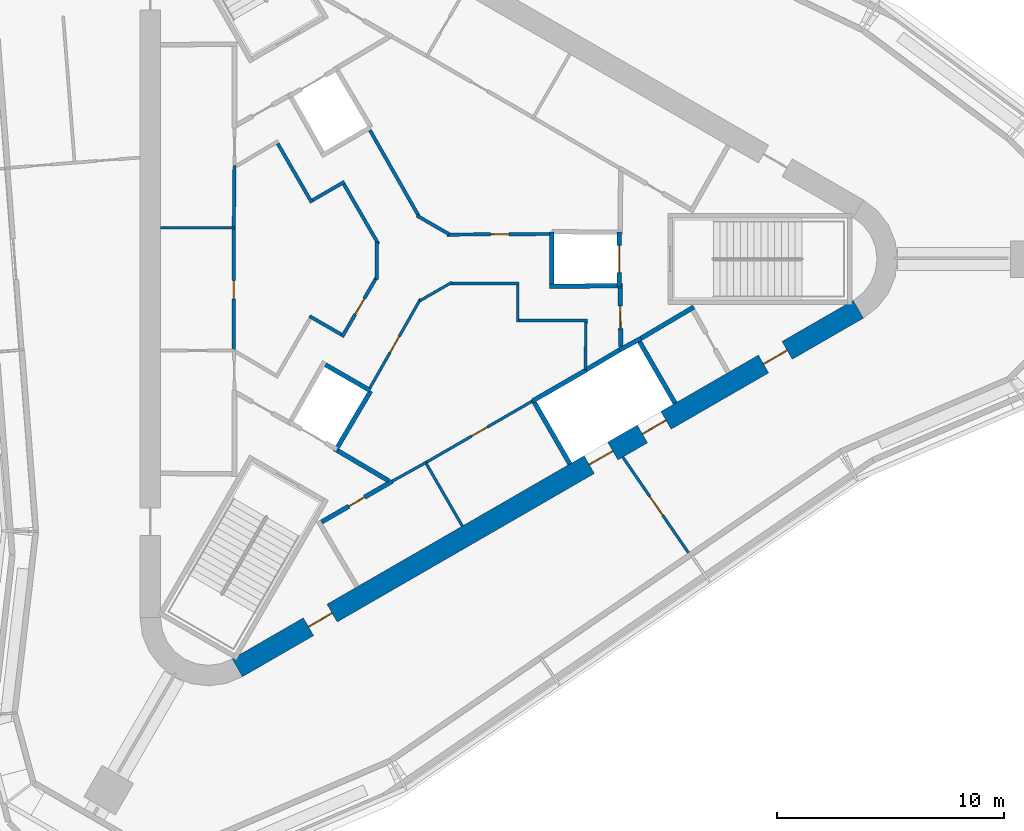
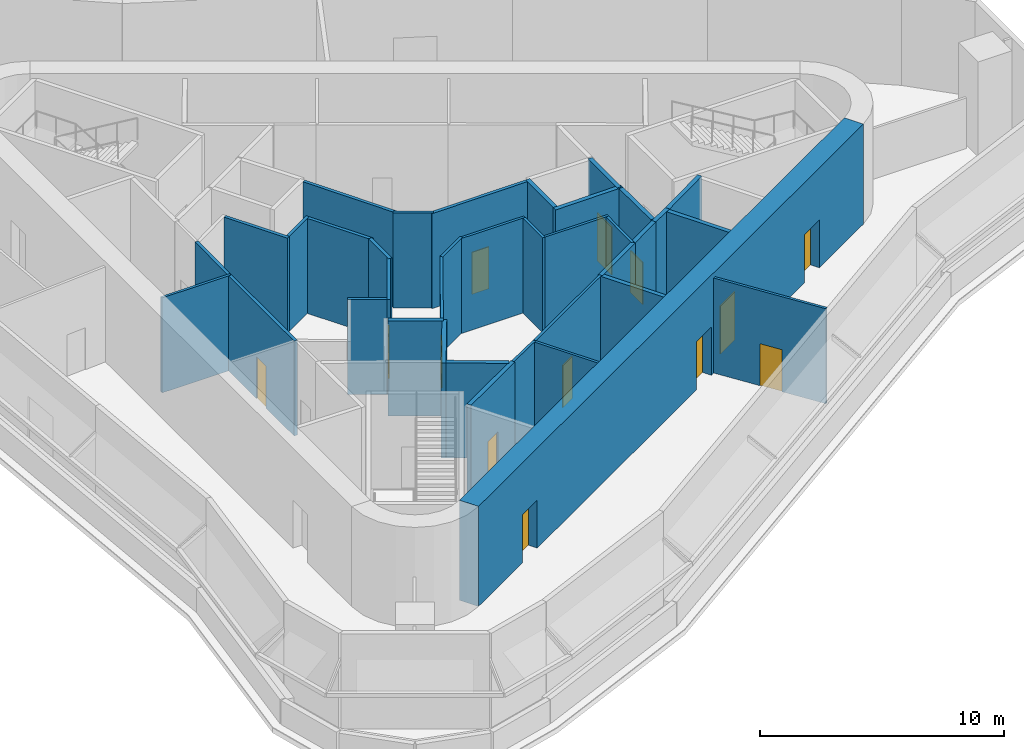
# One storey, part 5 of 8: 37 walls, 13 doors, 13 openings.
"""IFC4 building model written with IfcOpenShell, lengths in metres."""

import ifcopenshell
import ifcopenshell.guid

model = None  # the IFC model being written
_history = None  # IfcOwnerHistory: only IFC2X3 demands one
_inside = {}  # id of a spatial element -> (the spatial element, [elements in it])
_under = {}  # id of a project, library or spatial element -> (it, [spatial elements below it])
_declared = {}  # id of a project -> (the project, [libraries it declares])
_typed = {}  # id of a type object -> (the type object, [elements of that type])
_made_of = {}  # id of a material, layer set ... -> (it, [elements and type objects made of it])


def new_model(schema):
    """Start an empty IFC model of exactly this schema.

    Asked for "IFC4X3", IfcOpenShell would pick the latest addendum, in which some entities
    have other attributes; the version numbers below select the first issue.
    IFC2X3 requires an IfcOwnerHistory on every rooted entity: one is made here for all.
    """
    global model, _history
    if schema == "IFC4X3":
        model = ifcopenshell.file(schema_version=(4, 3, 0, 0))
    else:
        model = ifcopenshell.file(schema=schema)
    _inside.clear()
    _under.clear()
    _declared.clear()
    _typed.clear()
    _made_of.clear()
    _history = None
    if model.schema == "IFC2X3":
        org = make("IfcOrganization", Name="unknown")
        user = make(
            "IfcPersonAndOrganization",
            ThePerson=make("IfcPerson", FamilyName="unknown"),
            TheOrganization=org,
        )
        app = make(
            "IfcApplication",
            ApplicationDeveloper=org,
            Version="unknown",
            ApplicationFullName="unknown",
            ApplicationIdentifier="unknown",
        )
        _history = make(
            "IfcOwnerHistory",
            OwningUser=user,
            OwningApplication=app,
            ChangeAction="ADDED",
            CreationDate=0,
        )
    return model


def make(cls, **values):
    """One entity of the class cls with the attributes given. An attribute that is None is left unset."""
    return model.create_entity(
        cls, **{name: value for name, value in values.items() if value is not None}
    )


def rooted(cls, **values):
    """An entity with a GlobalId (a new one), such as an element, a storey or a relation."""
    return make(cls, GlobalId=ifcopenshell.guid.new(), OwnerHistory=_history, **values)


def si_unit(unit_type, name, prefix=None):
    """IfcSIUnit, for example si_unit("LENGTHUNIT", "METRE", prefix="MILLI")."""
    return make("IfcSIUnit", UnitType=unit_type, Prefix=prefix, Name=name)


def assignment(units):
    """IfcUnitAssignment: the units of a project."""
    return None if units is None else make("IfcUnitAssignment", Units=units)


def point(xyz):
    """IfcCartesianPoint."""
    return None if xyz is None else make("IfcCartesianPoint", Coordinates=xyz)


def direction(xyz):
    """IfcDirection."""
    return None if xyz is None else make("IfcDirection", DirectionRatios=xyz)


def frame(location, z_axis=None, x_axis=None):
    """IfcAxis2Placement3D, a coordinate frame: its origin and axes. An axis left out is left unset."""
    return make(
        "IfcAxis2Placement3D",
        Location=point(location),
        Axis=direction(z_axis),
        RefDirection=direction(x_axis),
    )


def frame_2d(location, x_axis=None):
    """IfcAxis2Placement2D, a coordinate frame in the plane: its origin and x axis."""
    return make(
        "IfcAxis2Placement2D", Location=point(location), RefDirection=direction(x_axis)
    )


def origin():
    """The frame at (0, 0, 0) with its axes left unset."""
    return frame((0.0, 0.0, 0.0))


def place(relative_to, where):
    """IfcLocalPlacement: puts the frame where relative to a parent placement (None: the world)."""
    return make(
        "IfcLocalPlacement", PlacementRelTo=relative_to, RelativePlacement=where
    )


def context(
    kind, dimensions, precision=None, world=None, true_north=None, identifier=None
):
    """IfcGeometricRepresentationContext, for example the 3D "Model" context."""
    return make(
        "IfcGeometricRepresentationContext",
        ContextIdentifier=identifier,
        ContextType=kind,
        CoordinateSpaceDimension=dimensions,
        Precision=precision,
        WorldCoordinateSystem=world,
        TrueNorth=true_north,
    )


def subcontext(parent, identifier, kind, view, scale=None):
    """IfcGeometricRepresentationSubContext, for example "Body" below "Model"."""
    return make(
        "IfcGeometricRepresentationSubContext",
        ContextIdentifier=identifier,
        ContextType=kind,
        ParentContext=parent,
        TargetScale=scale,
        TargetView=view,
    )


def project(units=None, contexts=None):
    """IfcProject with its units and contexts."""
    return rooted(
        "IfcProject",
        Name="project",
        RepresentationContexts=contexts,
        UnitsInContext=assignment(units),
    )


def spatial(cls, under=None, at=None, **own):
    """A site, building, storey or space (cls), placed at a placement, below another one or the project."""
    s = rooted(cls, ObjectPlacement=at, **own)
    if under is not None:
        _under.setdefault(under.id(), (under, []))[1].append(s)
    return s


def profile(cls, at=None, kind="AREA", **sizes):
    """A parametric profile (cls). Its sizes go by their IFC names, for example OverallWidth=200.0."""
    return make(cls, ProfileType=kind, Position=at, **sizes)


def rectangle(**sizes):
    """IfcRectangleProfileDef."""
    return profile("IfcRectangleProfileDef", **sizes)


def extrude(swept, where, along, depth):
    """IfcExtrudedAreaSolid: the profile swept, set in the frame where, extruded along a direction by depth."""
    return make(
        "IfcExtrudedAreaSolid",
        SweptArea=swept,
        Position=where,
        ExtrudedDirection=direction(along),
        Depth=depth,
    )


def shape(context_of_items, identifier, shape_type, items):
    """IfcShapeRepresentation: the items that make up one representation, for example the "Body"."""
    return make(
        "IfcShapeRepresentation",
        ContextOfItems=context_of_items,
        RepresentationIdentifier=identifier,
        RepresentationType=shape_type,
        Items=items,
    )


def material(Name=None, Category=None):
    """IfcMaterial."""
    return make("IfcMaterial", Name=Name, Category=Category)


def layer(
    of_material, thickness, ventilated=None, Name=None, Category=None, Priority=None
):
    """IfcMaterialLayer: one layer of a wall or slab, of a material (None: an air gap)."""
    return make(
        "IfcMaterialLayer",
        Material=of_material,
        LayerThickness=thickness,
        IsVentilated=ventilated,
        Name=Name,
        Category=Category,
        Priority=Priority,
    )


def layer_set(layers, Name=None):
    """IfcMaterialLayerSet."""
    return make("IfcMaterialLayerSet", MaterialLayers=layers, LayerSetName=Name)


def made_of(thing, what):
    """Note that an element or type object is made of a material, layer set ...; save() writes the relation."""
    if what is not None:
        _made_of.setdefault(what.id(), (what, []))[1].append(thing)
    return thing


def type_object(cls, material=None, **own):
    """A type object (cls), such as IfcWallType, which elements share."""
    return made_of(rooted(cls, **own), material)


def element(
    cls,
    number,
    at=None,
    inside=None,
    cuts=None,
    type_object=None,
    material=None,
    context=None,
    identifier="Body",
    shape_type=None,
    held_by="IfcProductDefinitionShape",
    body=None,
    shapes=None,
    **own,
):
    """One element of the class cls, such as IfcWall. Its Tag is "e" and its number.

    at: its placement. inside: the storey or other place that contains it. cuts: it is an
    opening in that element (IfcRelVoidsElement). A single representation is given by context,
    identifier, shape_type and body (its items); several are given by shapes. held_by: the class
    of the entity that holds the representations. save() writes the other relations.
    """
    e = rooted(cls, Tag="e%d" % number, ObjectPlacement=at, **own)
    if body is not None:
        shapes = [shape(context, identifier, shape_type, body)]
    if shapes is not None:
        e.Representation = make(held_by, Representations=shapes)
    if inside is not None:
        _inside.setdefault(inside.id(), (inside, []))[1].append(e)
    if cuts is not None:
        rooted(
            "IfcRelVoidsElement", RelatingBuildingElement=cuts, RelatedOpeningElement=e
        )
    if type_object is not None:
        _typed.setdefault(type_object.id(), (type_object, []))[1].append(e)
    return made_of(e, material)


def fill(opening, filler):
    """IfcRelFillsElement: the door or window that sits in an opening."""
    return rooted(
        "IfcRelFillsElement",
        RelatingOpeningElement=opening,
        RelatedBuildingElement=filler,
    )


def aggregate(whole, parts):
    """IfcRelAggregates: a whole, such as a stair, and the parts it consists of."""
    return rooted("IfcRelAggregates", RelatingObject=whole, RelatedObjects=parts)


def save(model, path):
    """Write the relations noted so far, then the file.

    IfcRelAggregates (storeys below a building ...), IfcRelContainedInSpatialStructure (elements
    in a storey), IfcRelDefinesByType, IfcRelAssociatesMaterial and IfcRelDeclares: one each for
    every whole, place, type object, material and project.
    """
    for whole, parts in _under.values():
        aggregate(whole, parts)
    for where, things in _inside.values():
        rooted(
            "IfcRelContainedInSpatialStructure",
            RelatedElements=things,
            RelatingStructure=where,
        )
    for kind, things in _typed.values():
        rooted("IfcRelDefinesByType", RelatedObjects=things, RelatingType=kind)
    for what, things in _made_of.values():
        rooted("IfcRelAssociatesMaterial", RelatedObjects=things, RelatingMaterial=what)
    for by, libraries in _declared.values():
        rooted("IfcRelDeclares", RelatingContext=by, RelatedDefinitions=libraries)
    model.write(path)


model = new_model("IFC4")

# Units and contexts
model_context = context("Model", 3, precision=1e-05, world=origin(), true_north=direction((0.0, 1.0)))
body_context = subcontext(model_context, "Body", "Model", "MODEL_VIEW")
ifc_project = project(units=[si_unit("LENGTHUNIT", "METRE"), si_unit("AREAUNIT", "SQUARE_METRE"), si_unit("VOLUMEUNIT", "CUBIC_METRE"), si_unit("PLANEANGLEUNIT", "RADIAN"), si_unit("MASSUNIT", "GRAM", prefix="KILO")], contexts=[model_context])

# Site, building, storey
site_placement = place(None, origin())
site = spatial("IfcSite", under=ifc_project, at=site_placement, CompositionType="ELEMENT")
building_placement = place(site_placement, origin())
building = spatial("IfcBuilding", under=site, at=building_placement, Name="Tanit Gate Tower", CompositionType="ELEMENT")
storey_placement = place(building_placement, frame((0.0, 0.0, 415.300048828125)))
storey = spatial("IfcBuildingStorey", under=building, at=storey_placement, Name="L94", CompositionType="ELEMENT", Elevation=415.300048828125)

# Wall, openings, doors
ifc_material_1 = material(Name="Concrete C40/50", Category="concrete")
ifc_layer_1 = layer(ifc_material_1, 0.89990234375)
ifc_layer_set_1 = layer_set([ifc_layer_1], Name="CORE WALL 900 C40/50")
wall_type_1 = type_object("IfcWallType", Name="CORE WALL 900 C40/50", PredefinedType="SHEAR", material=ifc_layer_set_1)
wall_1_placement = place(storey_placement, frame((-7.824951171875, -17.969970703125, 0.0), z_axis=(0.0, 0.0, 1.0), x_axis=(0.866028369851, 0.499994862586, 0.0)))
wall_1 = element("IfcWall", 1, at=wall_1_placement, inside=storey, type_object=wall_type_1, Name="CORE WALL", PredefinedType="SHEAR", context=body_context, shape_type="SweptSolid", body=[
    extrude(rectangle(XDim=31.523193359375, YDim=0.89990234375, at=frame_2d((15.76171875, 0.0))), origin(), (0.0, 0.0, 1.0), 5.0),
])
opening_1_placement = place(wall_1_placement, frame((17.861572265625, 0.0, 0.0)))
opening_1 = element("IfcOpeningElement", 2, at=opening_1_placement, cuts=wall_1, Name="Opening LDSV1-94", PredefinedType="OPENING", context=body_context, shape_type="SweptSolid", body=[
    extrude(rectangle(XDim=1.199951171875, YDim=2.39990234375, at=frame_2d((0.60009765625, 1.199951171875))), frame((0.0, 0.4599609375, 0.0), z_axis=(0.0, -1.0, 0.0), x_axis=(1.0, 0.0, 0.0)), (0.0, 0.0, 1.0), 0.919921875),
])
opening_2_placement = place(wall_1_placement, frame((20.561767578125, 0.0, 0.0)))
opening_2 = element("IfcOpeningElement", 3, at=opening_2_placement, cuts=wall_1, Name="Opening LDSV2-94", PredefinedType="OPENING", context=body_context, shape_type="SweptSolid", body=[
    extrude(rectangle(XDim=1.199951171875, YDim=2.39990234375, at=frame_2d((0.60009765625, 1.199951171875))), frame((0.0, 0.4599609375, 0.0), z_axis=(0.0, -1.0, 0.0), x_axis=(1.0, 0.0, 0.0)), (0.0, 0.0, 1.0), 0.919921875),
])
opening_3_placement = place(wall_1_placement, frame((26.711669921875, 0.0, 0.0)))
opening_3 = element("IfcOpeningElement", 4, at=opening_3_placement, cuts=wall_1, Name="Opening F12-94-S1", PredefinedType="OPENING", context=body_context, shape_type="SweptSolid", body=[
    extrude(rectangle(XDim=1.199951171875, YDim=2.39990234375, at=frame_2d((0.60009765625, 1.199951171875))), frame((0.0, 0.4599609375, 0.0), z_axis=(0.0, -1.0, 0.0), x_axis=(1.0, 0.0, 0.0)), (0.0, 0.0, 1.0), 0.919921875),
])
opening_4_placement = place(wall_1_placement, frame((3.611572265625, 0.0, 0.0)))
opening_4 = element("IfcOpeningElement", 5, at=opening_4_placement, cuts=wall_1, Name="Opening F12-94-FL3", PredefinedType="OPENING", context=body_context, shape_type="SweptSolid", body=[
    extrude(rectangle(XDim=1.199951171875, YDim=2.39990234375, at=frame_2d((0.60009765625, 1.199951171875))), frame((0.0, 0.4599609375, 0.0), z_axis=(0.0, -1.0, 0.0), x_axis=(1.0, 0.0, 0.0)), (0.0, 0.0, 1.0), 0.919921875),
])
ifc_material_2 = material(Name="Fire-rated steel door leaf", Category="steel")
door_type_1 = type_object("IfcDoorType", Name="INT-DOOR-FIRE-LOBBY-1200", OperationType="NOTDEFINED", PredefinedType="USERDEFINED", material=ifc_material_2)
door_1_placement = place(opening_3_placement, origin())
door_1 = element("IfcDoor", 6, at=door_1_placement, inside=storey, type_object=door_type_1, Name="Door F12-94-S1", ObjectType="FIRE DOOR", OperationType="SINGLE_SWING_RIGHT", OverallHeight=2.39990234375, OverallWidth=1.199951171875, PredefinedType="USERDEFINED", context=body_context, shape_type="SweptSolid", body=[
    extrude(rectangle(XDim=1.199951171875, YDim=2.39990234375, at=frame_2d((0.60009765625, 1.199951171875))), frame((0.0, 0.02490234375, 0.0), z_axis=(0.0, -1.0, 0.0), x_axis=(1.0, 0.0, 0.0)), (0.0, 0.0, 1.0), 0.050048828125),
])
fill(opening_3, door_1)
door_2_placement = place(opening_4_placement, origin())
door_2 = element("IfcDoor", 7, at=door_2_placement, inside=storey, type_object=door_type_1, Name="Door F12-94-FL3", ObjectType="FIRE DOOR", OperationType="SINGLE_SWING_RIGHT", OverallHeight=2.39990234375, OverallWidth=1.199951171875, PredefinedType="USERDEFINED", context=body_context, shape_type="SweptSolid", body=[
    extrude(rectangle(XDim=1.199951171875, YDim=2.39990234375, at=frame_2d((0.60009765625, 1.199951171875))), frame((0.0, 0.02490234375, 0.0), z_axis=(0.0, -1.0, 0.0), x_axis=(1.0, 0.0, 0.0)), (0.0, 0.0, 1.0), 0.050048828125),
])
fill(opening_4, door_2)
ifc_material_3 = material(Name="Stainless steel sliding door leaf", Category="steel")
door_type_2 = type_object("IfcDoorType", Name="INT-DOOR-LANDING-1200", OperationType="NOTDEFINED", PredefinedType="USERDEFINED", material=ifc_material_3)
door_3_placement = place(opening_1_placement, origin())
door_3 = element("IfcDoor", 8, at=door_3_placement, inside=storey, type_object=door_type_2, Name="Door LDSV1-94", ObjectType="LANDING DOOR", OperationType="SLIDING_TO_LEFT", OverallHeight=2.39990234375, OverallWidth=1.199951171875, PredefinedType="USERDEFINED", context=body_context, shape_type="SweptSolid", body=[
    extrude(rectangle(XDim=1.199951171875, YDim=2.39990234375, at=frame_2d((0.60009765625, 1.199951171875))), frame((0.0, 0.02490234375, 0.0), z_axis=(0.0, -1.0, 0.0), x_axis=(1.0, 0.0, 0.0)), (0.0, 0.0, 1.0), 0.050048828125),
])
fill(opening_1, door_3)
door_4_placement = place(opening_2_placement, origin())
door_4 = element("IfcDoor", 9, at=door_4_placement, inside=storey, type_object=door_type_2, Name="Door LDSV2-94", ObjectType="LANDING DOOR", OperationType="SLIDING_TO_LEFT", OverallHeight=2.39990234375, OverallWidth=1.199951171875, PredefinedType="USERDEFINED", context=body_context, shape_type="SweptSolid", body=[
    extrude(rectangle(XDim=1.199951171875, YDim=2.39990234375, at=frame_2d((0.60009765625, 1.199951171875))), frame((0.0, 0.02490234375, 0.0), z_axis=(0.0, -1.0, 0.0), x_axis=(1.0, 0.0, 0.0)), (0.0, 0.0, 1.0), 0.050048828125),
])
fill(opening_2, door_4)

# Wall, opening, door
ifc_material_4 = material(Name="Fire-rated gypsum board partition")
ifc_layer_2 = layer(ifc_material_4, 0.199951171875)
ifc_layer_set_2 = layer_set([ifc_layer_2], Name="INT-WALL-COMPARTMENT")
wall_type_2 = type_object("IfcWallType", Name="INT-WALL-COMPARTMENT", PredefinedType="PARTITIONING", material=ifc_layer_set_2)
wall_2_placement = place(storey_placement, frame((-1.02392578125, -9.77099609375, 0.0), z_axis=(0.0, 0.0, 1.0), x_axis=(-0.866029903013, -0.499992207027, 0.0)))
wall_2 = element("IfcWall", 10, at=wall_2_placement, inside=storey, type_object=wall_type_2, Name="Wall Compartment W051", PredefinedType="PARTITIONING", context=body_context, shape_type="SweptSolid", body=[
    extrude(rectangle(XDim=3.57763671875, YDim=0.199951171875, at=frame_2d((1.788818359375, 0.0))), origin(), (0.0, 0.0, 1.0), 4.75),
])
opening_5_placement = place(wall_2_placement, frame((1.388916015625, 0.0, 0.0)))
opening_5 = element("IfcOpeningElement", 11, at=opening_5_placement, cuts=wall_2, Name="Opening R08-94-19", PredefinedType="OPENING", context=body_context, shape_type="SweptSolid", body=[
    extrude(rectangle(XDim=0.800048828125, YDim=2.10009765625, at=frame_2d((0.39990234375, 1.050048828125))), frame((0.0, 0.10986328125, 0.0), z_axis=(0.0, -1.0, 0.0), x_axis=(1.0, 0.0, 0.0)), (0.0, 0.0, 1.0), 0.219970703125),
])
ifc_material_5 = material(Name="Timber door leaf", Category="wood")
door_type_3 = type_object("IfcDoorType", Name="INT-DOOR-RISER-800", OperationType="NOTDEFINED", PredefinedType="USERDEFINED", material=ifc_material_5)
door_5_placement = place(opening_5_placement, origin())
door_5 = element("IfcDoor", 12, at=door_5_placement, inside=storey, type_object=door_type_3, Name="Door R08-94-19", ObjectType="FIRE DOOR", OperationType="SINGLE_SWING_LEFT", OverallHeight=2.10009765625, OverallWidth=0.800048828125, PredefinedType="USERDEFINED", context=body_context, shape_type="SweptSolid", body=[
    extrude(rectangle(XDim=0.800048828125, YDim=2.10009765625, at=frame_2d((0.39990234375, 1.050048828125))), frame((0.0, 0.02490234375, 0.0), z_axis=(0.0, -1.0, 0.0), x_axis=(1.0, 0.0, 0.0)), (0.0, 0.0, 1.0), 0.050048828125),
])
fill(opening_5, door_5)

# Wall
wall_3_placement = place(storey_placement, frame((12.244873046875, -2.10888671875, 0.0), z_axis=(0.0, 0.0, 1.0), x_axis=(-0.860414880418, -0.509594185166, 0.0)))
element("IfcWall", 13, at=wall_3_placement, inside=storey, type_object=wall_type_2, Name="Wall Compartment W054", PredefinedType="PARTITIONING", context=body_context, shape_type="SweptSolid", body=[
    extrude(rectangle(XDim=2.7001953125, YDim=0.199951171875, at=frame_2d((1.35009765625, 0.0))), origin(), (0.0, 0.0, 1.0), 4.75),
])

# Wall, opening, door
wall_4_placement = place(storey_placement, frame((9.02880859375, -3.850830078125, 0.0), z_axis=(0.0, 0.0, 1.0), x_axis=(-0.010783593937, 0.99994185536, 0.0)))
wall_4 = element("IfcWall", 14, at=wall_4_placement, inside=storey, type_object=wall_type_2, Name="Wall Compartment W057", PredefinedType="PARTITIONING", context=body_context, shape_type="SweptSolid", body=[
    extrude(rectangle(XDim=2.5810546875, YDim=0.199951171875, at=frame_2d((1.29052734375, 0.0))), origin(), (0.0, 0.0, 1.0), 4.75),
])
opening_6_placement = place(wall_4_placement, frame((0.79052734375, 0.0, 0.0)))
opening_6 = element("IfcOpeningElement", 15, at=opening_6_placement, cuts=wall_4, Name="Opening F10-94-02", PredefinedType="OPENING", context=body_context, shape_type="SweptSolid", body=[
    extrude(rectangle(XDim=1.0, YDim=2.10009765625, at=frame_2d((0.5, 1.050048828125))), frame((0.0, 0.10986328125, 0.0), z_axis=(0.0, -1.0, 0.0), x_axis=(1.0, 0.0, 0.0)), (0.0, 0.0, 1.0), 0.219970703125),
])
ifc_material_6 = material(Name="Fire-rated steel door leaf", Category="steel")
door_type_4 = type_object("IfcDoorType", Name="INT-DOOR-FIRE-1000", OperationType="NOTDEFINED", PredefinedType="USERDEFINED", material=ifc_material_6)
door_6_placement = place(opening_6_placement, origin())
door_6 = element("IfcDoor", 16, at=door_6_placement, inside=storey, type_object=door_type_4, Name="Door F10-94-02", ObjectType="FIRE DOOR", OperationType="SINGLE_SWING_RIGHT", OverallHeight=2.10009765625, OverallWidth=1.0, PredefinedType="USERDEFINED", context=body_context, shape_type="SweptSolid", body=[
    extrude(rectangle(XDim=1.0, YDim=2.10009765625, at=frame_2d((0.5, 1.050048828125))), frame((0.0, 0.02490234375, 0.0), z_axis=(0.0, -1.0, 0.0), x_axis=(1.0, 0.0, 0.0)), (0.0, 0.0, 1.0), 0.050048828125),
])
fill(opening_6, door_6)

# Walls
wall_5_placement = place(storey_placement, frame((-3.400634765625, -8.43017578125, 0.0), z_axis=(0.0, 0.0, 1.0), x_axis=(0.860630814782, -0.509229418482, 0.0)))
element("IfcWall", 17, at=wall_5_placement, inside=storey, type_object=wall_type_2, Name="Wall Compartment W060", PredefinedType="PARTITIONING", context=body_context, shape_type="SweptSolid", body=[
    extrude(rectangle(XDim=2.581787109375, YDim=0.199951171875, at=frame_2d((1.291015625, 0.0))), origin(), (0.0, 0.0, 1.0), 4.75),
])
ifc_material_7 = material(Name="Gypsum board partition")
ifc_layer_3 = layer(ifc_material_7, 0.1201171875)
ifc_layer_set_3 = layer_set([ifc_layer_3], Name="INT-WALL-PARTITION")
wall_type_3 = type_object("IfcWallType", Name="INT-WALL-PARTITION", PredefinedType="PARTITIONING", material=ifc_layer_set_3)
for number, where, z_axis, x_axis, name in (
    (18, (-11.199951171875, 1.3798828125, 0.0), (0.0, 0.0, 1.0), (1.0, 0.0, 0.0), "Wall Partition W030"),
    (19, (2.066650390625, -11.739501953125, 0.0), (0.0, 0.0, 1.0), (-0.499984717929, 0.866034226713, 0.0), "Wall Partition W049"),
):
    element("IfcWall", number, at=place(storey_placement, frame(where, z_axis=z_axis, x_axis=x_axis)), inside=storey, type_object=wall_type_3, Name=name, PredefinedType="PARTITIONING", context=body_context, shape_type="SweptSolid", body=[
        extrude(rectangle(XDim=3.25, YDim=0.1201171875, at=frame_2d((1.625, 0.0))), origin(), (0.0, 0.0, 1.0), 4.75),
    ])
wall_6_placement = place(storey_placement, frame((-1.0234375, -9.77197265625, 0.0), z_axis=(0.0, 0.0, 1.0), x_axis=(0.874290944206, 0.485402250592, 0.0)))
element("IfcWall", 20, at=wall_6_placement, inside=storey, type_object=wall_type_3, Name="Wall Partition W052", PredefinedType="PARTITIONING", context=body_context, shape_type="SweptSolid", body=[
    extrude(rectangle(XDim=1.72265625, YDim=0.1201171875, at=frame_2d((0.861328125, 0.0))), origin(), (0.0, 0.0, 1.0), 4.75),
])

# Wall, opening, door
wall_7_placement = place(storey_placement, frame((0.482666015625, -8.935791015625, 0.0), z_axis=(0.0, 0.0, 1.0), x_axis=(0.866028230842, 0.499995103361, 0.0)))
wall_7 = element("IfcWall", 21, at=wall_7_placement, inside=storey, type_object=wall_type_3, Name="Wall Partition W053", PredefinedType="PARTITIONING", context=body_context, shape_type="SweptSolid", body=[
    extrude(rectangle(XDim=5.39990234375, YDim=0.1201171875, at=frame_2d((2.699951171875, 0.0))), origin(), (0.0, 0.0, 1.0), 4.75),
])
opening_7_placement = place(wall_7_placement, frame((2.300048828125, 0.0, 0.0)))
opening_7 = element("IfcOpeningElement", 22, at=opening_7_placement, cuts=wall_7, Name="Opening R08-94-20", PredefinedType="OPENING", context=body_context, shape_type="SweptSolid", body=[
    extrude(rectangle(XDim=0.800048828125, YDim=2.10009765625, at=frame_2d((0.39990234375, 1.050048828125))), frame((0.0, 0.070068359375, 0.0), z_axis=(0.0, -1.0, 0.0), x_axis=(1.0, 0.0, 0.0)), (0.0, 0.0, 1.0), 0.14013671875),
])
door_7_placement = place(opening_7_placement, origin())
door_7 = element("IfcDoor", 23, at=door_7_placement, inside=storey, type_object=door_type_3, Name="Door R08-94-20", ObjectType="FIRE DOOR", OperationType="SINGLE_SWING_RIGHT", OverallHeight=2.10009765625, OverallWidth=0.800048828125, PredefinedType="USERDEFINED", context=body_context, shape_type="SweptSolid", body=[
    extrude(rectangle(XDim=0.800048828125, YDim=2.10009765625, at=frame_2d((0.39990234375, 1.050048828125))), frame((0.0, 0.02490234375, 0.0), z_axis=(0.0, -1.0, 0.0), x_axis=(1.0, 0.0, 0.0)), (0.0, 0.0, 1.0), 0.050048828125),
])
fill(opening_7, door_7)

wall_8_placement = place(storey_placement, frame((0.223876953125, -1.760986328125, 0.0), z_axis=(0.0, 0.0, 1.0), x_axis=(-0.494327216836, -0.869275907118, 0.0)))
wall_8 = element("IfcWall", 24, at=wall_8_placement, inside=storey, type_object=wall_type_3, Name="Wall Partition W065", PredefinedType="PARTITIONING", context=body_context, shape_type="SweptSolid", body=[
    extrude(rectangle(XDim=4.487060546875, YDim=0.1201171875, at=frame_2d((2.24365234375, 0.0))), origin(), (0.0, 0.0, 1.0), 4.75),
])
opening_8_placement = place(wall_8_placement, frame((1.89453125, 0.0, 0.0)))
opening_8 = element("IfcOpeningElement", 25, at=opening_8_placement, cuts=wall_8, Name="Opening R08-94-11", PredefinedType="OPENING", context=body_context, shape_type="SweptSolid", body=[
    extrude(rectangle(XDim=0.800048828125, YDim=2.10009765625, at=frame_2d((0.39990234375, 1.050048828125))), frame((0.0, 0.070068359375, 0.0), z_axis=(0.0, -1.0, 0.0), x_axis=(1.0, 0.0, 0.0)), (0.0, 0.0, 1.0), 0.14013671875),
])
door_8_placement = place(opening_8_placement, origin())
door_8 = element("IfcDoor", 26, at=door_8_placement, inside=storey, type_object=door_type_3, Name="Door R08-94-11", ObjectType="FIRE DOOR", OperationType="SINGLE_SWING_LEFT", OverallHeight=2.10009765625, OverallWidth=0.800048828125, PredefinedType="USERDEFINED", context=body_context, shape_type="SweptSolid", body=[
    extrude(rectangle(XDim=0.800048828125, YDim=2.10009765625, at=frame_2d((0.39990234375, 1.050048828125))), frame((0.0, 0.02490234375, 0.0), z_axis=(0.0, -1.0, 0.0), x_axis=(1.0, 0.0, 0.0)), (0.0, 0.0, 1.0), 0.050048828125),
])
fill(opening_8, door_8)

# Walls
wall_9_placement = place(storey_placement, frame((1.60546875, -1.02294921875, 0.0), z_axis=(0.0, 0.0, 1.0), x_axis=(-0.866001581989, -0.50004125829, 0.0)))
element("IfcWall", 27, at=wall_9_placement, inside=storey, type_object=wall_type_3, Name="Wall Partition W066", PredefinedType="PARTITIONING", context=body_context, shape_type="SweptSolid", body=[
    extrude(rectangle(XDim=1.635009765625, YDim=0.1201171875, at=frame_2d((0.8173828125, 0.0))), origin(), (0.0, 0.0, 1.0), 4.75),
])
wall_10_placement = place(storey_placement, frame((4.56005859375, -1.074951171875, 0.0), z_axis=(0.0, 0.0, 1.0), x_axis=(-1.0, 0.0, 0.0)))
element("IfcWall", 28, at=wall_10_placement, inside=storey, type_object=wall_type_3, Name="Wall Partition W067", PredefinedType="PARTITIONING", context=body_context, shape_type="SweptSolid", body=[
    extrude(rectangle(XDim=3.02587890625, YDim=0.1201171875, at=frame_2d((1.512939453125, 0.0))), origin(), (0.0, 0.0, 1.0), 4.75),
])
wall_11_placement = place(storey_placement, frame((4.5, -2.760009765625, 0.0), z_axis=(0.0, 0.0, 1.0), x_axis=(0.0, 1.0, 0.0)))
element("IfcWall", 29, at=wall_11_placement, inside=storey, type_object=wall_type_3, Name="Wall Partition W068", PredefinedType="PARTITIONING", context=body_context, shape_type="SweptSolid", body=[
    extrude(rectangle(XDim=1.625, YDim=0.1201171875, at=frame_2d((0.8125, 0.0))), origin(), (0.0, 0.0, 1.0), 4.75),
])
wall_12_placement = place(storey_placement, frame((7.56005859375, -2.699951171875, 0.0), z_axis=(0.0, 0.0, 1.0), x_axis=(-1.0, 0.0, 0.0)))
element("IfcWall", 30, at=wall_12_placement, inside=storey, type_object=wall_type_3, Name="Wall Partition W069", PredefinedType="PARTITIONING", context=body_context, shape_type="SweptSolid", body=[
    extrude(rectangle(XDim=3.0, YDim=0.1201171875, at=frame_2d((1.5, 0.0))), origin(), (0.0, 0.0, 1.0), 4.75),
])
wall_13_placement = place(storey_placement, frame((7.474609375, -4.864501953125, 0.0), z_axis=(0.0, 0.0, 1.0), x_axis=(0.011716133148, 0.999931363757, 0.0)))
element("IfcWall", 31, at=wall_13_placement, inside=storey, type_object=wall_type_3, Name="Wall Partition W070", PredefinedType="PARTITIONING", context=body_context, shape_type="SweptSolid", body=[
    extrude(rectangle(XDim=2.104736328125, YDim=0.1201171875, at=frame_2d((1.05224609375, 0.0))), origin(), (0.0, 0.0, 1.0), 4.75),
])

# Wall, opening, door
wall_14_placement = place(storey_placement, frame((12.00439453125, -12.907470703125, 0.0), z_axis=(0.0, 0.0, 1.0), x_axis=(-0.565849521663, 0.824508531693, 0.0)))
wall_14 = element("IfcWall", 32, at=wall_14_placement, inside=storey, type_object=wall_type_3, Name="Wall Partition W088", PredefinedType="PARTITIONING", context=body_context, shape_type="SweptSolid", body=[
    extrude(rectangle(XDim=5.095947265625, YDim=0.1201171875, at=frame_2d((2.5478515625, 0.0))), origin(), (0.0, 0.0, 1.0), 4.75),
])
opening_9_placement = place(wall_14_placement, frame((2.0, 0.0, 0.0)))
opening_9 = element("IfcOpeningElement", 33, at=opening_9_placement, cuts=wall_14, Name="Opening D10-94-25", PredefinedType="OPENING", context=body_context, shape_type="SweptSolid", body=[
    extrude(rectangle(XDim=1.0, YDim=2.10009765625, at=frame_2d((0.5, 1.050048828125))), frame((0.0, 0.070068359375, 0.0), z_axis=(0.0, -1.0, 0.0), x_axis=(1.0, 0.0, 0.0)), (0.0, 0.0, 1.0), 0.14013671875),
])
ifc_material_8 = material(Name="Timber door leaf", Category="wood")
door_type_5 = type_object("IfcDoorType", Name="INT-DOOR-SINGLE-1000", OperationType="NOTDEFINED", PredefinedType="NOTDEFINED", material=ifc_material_8)
door_9_placement = place(opening_9_placement, origin())
door_9 = element("IfcDoor", 34, at=door_9_placement, inside=storey, type_object=door_type_5, Name="Door D10-94-25", OperationType="SINGLE_SWING_LEFT", OverallHeight=2.10009765625, OverallWidth=1.0, PredefinedType="NOTDEFINED", context=body_context, shape_type="SweptSolid", body=[
    extrude(rectangle(XDim=1.0, YDim=2.10009765625, at=frame_2d((0.5, 1.050048828125))), frame((0.0, 0.02490234375, 0.0), z_axis=(0.0, -1.0, 0.0), x_axis=(1.0, 0.0, 0.0)), (0.0, 0.0, 1.0), 0.050048828125),
])
fill(opening_9, door_9)

# Wall
ifc_material_9 = material(Name="Fire-rated gypsum board partition")
ifc_layer_4 = layer(ifc_material_9, 0.14990234375)
ifc_layer_set_4 = layer_set([ifc_layer_4], Name="INT-WALL-RISER")
wall_type_4 = type_object("IfcWallType", Name="INT-WALL-RISER", PredefinedType="PLUMBINGWALL", material=ifc_layer_set_4)
wall_15_placement = place(storey_placement, frame((-7.949951171875, 4.10498046875, 0.0), z_axis=(0.0, 0.0, 1.0), x_axis=(-0.010899742406, -0.999940596043, 0.0)))
element("IfcWall", 35, at=wall_15_placement, inside=storey, type_object=wall_type_4, Name="Wall Riser W033", PredefinedType="PLUMBINGWALL", context=body_context, shape_type="SweptSolid", body=[
    extrude(rectangle(XDim=2.755126953125, YDim=0.14990234375, at=frame_2d((1.37744140625, 0.0))), origin(), (0.0, 0.0, 1.0), 4.75),
])

# Wall, opening, door
wall_16_placement = place(storey_placement, frame((-7.97998046875, 1.35009765625, 0.0), z_axis=(0.0, 0.0, 1.0), x_axis=(0.0, -1.0, 0.0)))
wall_16 = element("IfcWall", 36, at=wall_16_placement, inside=storey, type_object=wall_type_4, Name="Wall Riser W036", PredefinedType="PLUMBINGWALL", context=body_context, shape_type="SweptSolid", body=[
    extrude(rectangle(XDim=5.400146484375, YDim=0.14990234375, at=frame_2d((2.7001953125, 0.0))), origin(), (0.0, 0.0, 1.0), 4.75),
])
opening_10_placement = place(wall_16_placement, frame((2.300048828125, 0.0, 0.0)))
opening_10 = element("IfcOpeningElement", 37, at=opening_10_placement, cuts=wall_16, Name="Opening R08-94-22", PredefinedType="OPENING", context=body_context, shape_type="SweptSolid", body=[
    extrude(rectangle(XDim=0.800048828125, YDim=2.10009765625, at=frame_2d((0.39990234375, 1.050048828125))), frame((0.0, 0.0849609375, 0.0), z_axis=(0.0, -1.0, 0.0), x_axis=(1.0, 0.0, 0.0)), (0.0, 0.0, 1.0), 0.169921875),
])
door_10_placement = place(opening_10_placement, origin())
door_10 = element("IfcDoor", 38, at=door_10_placement, inside=storey, type_object=door_type_3, Name="Door R08-94-22", ObjectType="FIRE DOOR", OperationType="SINGLE_SWING_LEFT", OverallHeight=2.10009765625, OverallWidth=0.800048828125, PredefinedType="USERDEFINED", context=body_context, shape_type="SweptSolid", body=[
    extrude(rectangle(XDim=0.800048828125, YDim=2.10009765625, at=frame_2d((0.39990234375, 1.050048828125))), frame((0.0, 0.02490234375, 0.0), z_axis=(0.0, -1.0, 0.0), x_axis=(1.0, 0.0, 0.0)), (0.0, 0.0, 1.0), 0.050048828125),
])
fill(opening_10, door_10)

wall_17_placement = place(storey_placement, frame((1.3876953125, 1.07421875, 0.0), z_axis=(0.0, 0.0, 1.0), x_axis=(0.99997856967, 0.006546770205, 0.0)))
wall_17 = element("IfcWall", 39, at=wall_17_placement, inside=storey, type_object=wall_type_4, Name="Wall Riser W062", PredefinedType="PLUMBINGWALL", context=body_context, shape_type="SweptSolid", body=[
    extrude(rectangle(XDim=4.51220703125, YDim=0.14990234375, at=frame_2d((2.256103515625, 0.0))), origin(), (0.0, 0.0, 1.0), 4.75),
])
opening_11_placement = place(wall_17_placement, frame((1.920166015625, 0.0, 0.0)))
opening_11 = element("IfcOpeningElement", 40, at=opening_11_placement, cuts=wall_17, Name="Opening R08-94-10", PredefinedType="OPENING", context=body_context, shape_type="SweptSolid", body=[
    extrude(rectangle(XDim=0.800048828125, YDim=2.10009765625, at=frame_2d((0.39990234375, 1.050048828125))), frame((0.0, 0.0849609375, 0.0), z_axis=(0.0, -1.0, 0.0), x_axis=(1.0, 0.0, 0.0)), (0.0, 0.0, 1.0), 0.169921875),
])
door_11_placement = place(opening_11_placement, origin())
door_11 = element("IfcDoor", 41, at=door_11_placement, inside=storey, type_object=door_type_3, Name="Door R08-94-10", ObjectType="FIRE DOOR", OperationType="SINGLE_SWING_LEFT", OverallHeight=2.10009765625, OverallWidth=0.800048828125, PredefinedType="USERDEFINED", context=body_context, shape_type="SweptSolid", body=[
    extrude(rectangle(XDim=0.800048828125, YDim=2.10009765625, at=frame_2d((0.39990234375, 1.050048828125))), frame((0.0, 0.02490234375, 0.0), z_axis=(0.0, -1.0, 0.0), x_axis=(1.0, 0.0, 0.0)), (0.0, 0.0, 1.0), 0.050048828125),
])
fill(opening_11, door_11)

# Walls
wall_18_placement = place(storey_placement, frame((0.0625, 1.9140625, 0.0), z_axis=(0.0, 0.0, 1.0), x_axis=(0.866018462269, -0.500012022864, 0.0)))
element("IfcWall", 42, at=wall_18_placement, inside=storey, type_object=wall_type_4, Name="Wall Riser W063", PredefinedType="PLUMBINGWALL", context=body_context, shape_type="SweptSolid", body=[
    extrude(rectangle(XDim=1.654296875, YDim=0.14990234375, at=frame_2d((0.8271484375, 0.0))), origin(), (0.0, 0.0, 1.0), 4.75),
])
wall_19_placement = place(storey_placement, frame((-1.994140625, 5.661376953125, 0.0), z_axis=(0.0, 0.0, 1.0), x_axis=(0.494341211302, -0.869267948798, 0.0)))
element("IfcWall", 43, at=wall_19_placement, inside=storey, type_object=wall_type_4, Name="Wall Riser W064", PredefinedType="PLUMBINGWALL", context=body_context, shape_type="SweptSolid", body=[
    extrude(rectangle(XDim=4.36083984375, YDim=0.14990234375, at=frame_2d((2.180419921875, 0.0))), origin(), (0.0, 0.0, 1.0), 4.75),
])
wall_20_placement = place(storey_placement, frame((-4.55078125, 2.482177734375, 0.0), z_axis=(0.0, 0.0, 1.0), x_axis=(-0.499990139034, 0.866031096941, 0.0)))
element("IfcWall", 44, at=wall_20_placement, inside=storey, type_object=wall_type_4, Name="Wall Riser W072", PredefinedType="PLUMBINGWALL", context=body_context, shape_type="SweptSolid", body=[
    extrude(rectangle(XDim=3.0, YDim=0.14990234375, at=frame_2d((1.5, 0.0))), origin(), (0.0, 0.0, 1.0), 4.75),
])
wall_21_placement = place(storey_placement, frame((-3.115966796875, 3.397216796875, 0.0), z_axis=(0.0, 0.0, 1.0), x_axis=(-0.866053003207, -0.499952193351, 0.0)))
element("IfcWall", 45, at=wall_21_placement, inside=storey, type_object=wall_type_4, Name="Wall Riser W073", PredefinedType="PLUMBINGWALL", context=body_context, shape_type="SweptSolid", body=[
    extrude(rectangle(XDim=1.625244140625, YDim=0.14990234375, at=frame_2d((0.8125, 0.0))), origin(), (0.0, 0.0, 1.0), 4.75),
])
wall_22_placement = place(storey_placement, frame((-1.623779296875, 0.66259765625, 0.0), z_axis=(0.0, 0.0, 1.0), x_axis=(-0.500035348339, 0.866004994449, 0.0)))
element("IfcWall", 46, at=wall_22_placement, inside=storey, type_object=wall_type_4, Name="Wall Riser W074", PredefinedType="PLUMBINGWALL", context=body_context, shape_type="SweptSolid", body=[
    extrude(rectangle(XDim=3.039306640625, YDim=0.14990234375, at=frame_2d((1.51953125, 0.0))), origin(), (0.0, 0.0, 1.0), 4.75),
])
wall_23_placement = place(storey_placement, frame((-1.688720703125, -0.90478515625, 0.0), z_axis=(0.0, 0.0, 1.0), x_axis=(0.0, 1.0, 0.0)))
element("IfcWall", 47, at=wall_23_placement, inside=storey, type_object=wall_type_4, Name="Wall Riser W075", PredefinedType="PLUMBINGWALL", context=body_context, shape_type="SweptSolid", body=[
    extrude(rectangle(XDim=1.656494140625, YDim=0.14990234375, at=frame_2d((0.828125, 0.0))), origin(), (0.0, 0.0, 1.0), 4.75),
])

# Wall, opening, door
wall_24_placement = place(storey_placement, frame((-3.218505859375, -3.424560546875, 0.0), z_axis=(0.0, 0.0, 1.0), x_axis=(0.499996236806, 0.866027576455, 0.0)))
wall_24 = element("IfcWall", 48, at=wall_24_placement, inside=storey, type_object=wall_type_4, Name="Wall Riser W076", PredefinedType="PLUMBINGWALL", context=body_context, shape_type="SweptSolid", body=[
    extrude(rectangle(XDim=3.0361328125, YDim=0.14990234375, at=frame_2d((1.51806640625, 0.0))), origin(), (0.0, 0.0, 1.0), 4.75),
])
opening_12_placement = place(wall_24_placement, frame((1.155517578125, 0.0, 0.0)))
opening_12 = element("IfcOpeningElement", 49, at=opening_12_placement, cuts=wall_24, Name="Opening R08-94-12", PredefinedType="OPENING", context=body_context, shape_type="SweptSolid", body=[
    extrude(rectangle(XDim=0.800048828125, YDim=2.10009765625, at=frame_2d((0.39990234375, 1.050048828125))), frame((0.0, 0.0849609375, 0.0), z_axis=(0.0, -1.0, 0.0), x_axis=(1.0, 0.0, 0.0)), (0.0, 0.0, 1.0), 0.169921875),
])
door_12_placement = place(opening_12_placement, origin())
door_12 = element("IfcDoor", 50, at=door_12_placement, inside=storey, type_object=door_type_3, Name="Door R08-94-12", ObjectType="FIRE DOOR", OperationType="SINGLE_SWING_RIGHT", OverallHeight=2.10009765625, OverallWidth=0.800048828125, PredefinedType="USERDEFINED", context=body_context, shape_type="SweptSolid", body=[
    extrude(rectangle(XDim=0.800048828125, YDim=2.10009765625, at=frame_2d((0.39990234375, 1.050048828125))), frame((0.0, 0.02490234375, 0.0), z_axis=(0.0, -1.0, 0.0), x_axis=(1.0, 0.0, 0.0)), (0.0, 0.0, 1.0), 0.050048828125),
])
fill(opening_12, door_12)

# Walls
wall_25_placement = place(storey_placement, frame((-4.6533203125, -2.509521484375, 0.0), z_axis=(0.0, 0.0, 1.0), x_axis=(0.866053003207, -0.499952193351, 0.0)))
element("IfcWall", 51, at=wall_25_placement, inside=storey, type_object=wall_type_4, Name="Wall Riser W077", PredefinedType="PLUMBINGWALL", context=body_context, shape_type="SweptSolid", body=[
    extrude(rectangle(XDim=1.625244140625, YDim=0.14990234375, at=frame_2d((0.8125, 0.0))), origin(), (0.0, 0.0, 1.0), 4.75),
])
ifc_material_10 = material(Name="Gypsum shaft wall system")
ifc_layer_5 = layer(ifc_material_10, 0.199951171875)
ifc_layer_set_5 = layer_set([ifc_layer_5], Name="INT-WALL-SHAFT")
wall_type_5 = type_object("IfcWallType", Name="INT-WALL-SHAFT", PredefinedType="PLUMBINGWALL", material=ifc_layer_set_5)
wall_26_placement = place(storey_placement, frame((6.795166015625, -9.009521484375, 0.0), z_axis=(0.0, 0.0, 1.0), x_axis=(-0.499984717929, 0.866034226713, 0.0)))
element("IfcWall", 52, at=wall_26_placement, inside=storey, type_object=wall_type_5, Name="Wall Shaft W001", PredefinedType="PLUMBINGWALL", context=body_context, shape_type="SweptSolid", body=[
    extrude(rectangle(XDim=3.25, YDim=0.199951171875, at=frame_2d((1.625, 0.0))), origin(), (0.0, 0.0, 1.0), 4.75),
])
wall_27_placement = place(storey_placement, frame((5.1591796875, -6.23583984375, 0.0), z_axis=(0.0, 0.0, 1.0), x_axis=(0.866036505625, 0.499980770555, 0.0)))
element("IfcWall", 53, at=wall_27_placement, inside=storey, type_object=wall_type_5, Name="Wall Shaft W002", PredefinedType="PLUMBINGWALL", context=body_context, shape_type="SweptSolid", body=[
    extrude(rectangle(XDim=2.69970703125, YDim=0.199951171875, at=frame_2d((1.349853515625, 0.0))), origin(), (0.0, 0.0, 1.0), 4.75),
])
wall_28_placement = place(storey_placement, frame((9.794677734375, -3.52490234375, 0.0), z_axis=(0.0, 0.0, 1.0), x_axis=(0.499984717929, -0.866034226713, 0.0)))
element("IfcWall", 54, at=wall_28_placement, inside=storey, type_object=wall_type_5, Name="Wall Shaft W003", PredefinedType="PLUMBINGWALL", context=body_context, shape_type="SweptSolid", body=[
    extrude(rectangle(XDim=3.25, YDim=0.199951171875, at=frame_2d((1.625, 0.0))), origin(), (0.0, 0.0, 1.0), 4.75),
])
wall_29_placement = place(storey_placement, frame((8.97412109375, -3.998779296875, 0.0), z_axis=(0.0, 0.0, 1.0), x_axis=(0.880907015104, 0.473289373154, 0.0)))
element("IfcWall", 55, at=wall_29_placement, inside=storey, type_object=wall_type_5, Name="Wall Shaft W004", PredefinedType="PLUMBINGWALL", context=body_context, shape_type="SweptSolid", body=[
    extrude(rectangle(XDim=1.078125, YDim=0.199951171875, at=frame_2d((0.5390625, 0.0))), origin(), (0.0, 0.0, 1.0), 4.75),
])
wall_30_placement = place(storey_placement, frame((7.4931640625, -4.87841796875, 0.0), z_axis=(0.0, 0.0, 1.0), x_axis=(0.859981807212, 0.510324691999, 0.0)))
element("IfcWall", 56, at=wall_30_placement, inside=storey, type_object=wall_type_5, Name="Wall Shaft W005", PredefinedType="PLUMBINGWALL", context=body_context, shape_type="SweptSolid", body=[
    extrude(rectangle(XDim=1.8447265625, YDim=0.199951171875, at=frame_2d((0.92236328125, 0.0))), origin(), (0.0, 0.0, 1.0), 4.75),
])

# Wall, opening, door
wall_31_placement = place(storey_placement, frame((8.969970703125, 1.199951171875, 0.0), z_axis=(0.0, 0.0, 1.0), x_axis=(0.0, -1.0, 0.0)))
wall_31 = element("IfcWall", 57, at=wall_31_placement, inside=storey, type_object=wall_type_5, Name="Wall Shaft W010", PredefinedType="PLUMBINGWALL", context=body_context, shape_type="SweptSolid", body=[
    extrude(rectangle(XDim=2.39990234375, YDim=0.199951171875, at=frame_2d((1.199951171875, 0.0))), origin(), (0.0, 0.0, 1.0), 4.75),
])
opening_13_placement = place(wall_31_placement, frame((0.60009765625, 0.0, 0.0)))
opening_13 = element("IfcOpeningElement", 58, at=opening_13_placement, cuts=wall_31, Name="Opening LDFL1-L94", PredefinedType="OPENING", context=body_context, shape_type="SweptSolid", body=[
    extrude(rectangle(XDim=1.199951171875, YDim=2.39990234375, at=frame_2d((0.60009765625, 1.199951171875))), frame((0.0, 0.10986328125, 0.0), z_axis=(0.0, -1.0, 0.0), x_axis=(1.0, 0.0, 0.0)), (0.0, 0.0, 1.0), 0.219970703125),
])
door_13_placement = place(opening_13_placement, origin())
door_13 = element("IfcDoor", 59, at=door_13_placement, inside=storey, type_object=door_type_2, Name="Door LDFL1-L94", ObjectType="LANDING DOOR", OperationType="SLIDING_TO_LEFT", OverallHeight=2.39990234375, OverallWidth=1.199951171875, PredefinedType="USERDEFINED", context=body_context, shape_type="SweptSolid", body=[
    extrude(rectangle(XDim=1.199951171875, YDim=2.39990234375, at=frame_2d((0.60009765625, 1.199951171875))), frame((0.0, 0.02490234375, 0.0), z_axis=(0.0, -1.0, 0.0), x_axis=(1.0, 0.0, 0.0)), (0.0, 0.0, 1.0), 0.050048828125),
])
fill(opening_13, door_13)

# Walls
wall_32_placement = place(storey_placement, frame((5.89990234375, -1.200927734375, 0.0), z_axis=(0.0, 0.0, 1.0), x_axis=(0.999950064753, 0.009993397809, 0.0)))
element("IfcWall", 60, at=wall_32_placement, inside=storey, type_object=wall_type_5, Name="Wall Shaft W012", PredefinedType="PLUMBINGWALL", context=body_context, shape_type="SweptSolid", body=[
    extrude(rectangle(XDim=3.200439453125, YDim=0.199951171875, at=frame_2d((1.60009765625, 0.0))), origin(), (0.0, 0.0, 1.0), 4.75),
])
wall_33_placement = place(storey_placement, frame((6.0, -1.10009765625, 0.0), z_axis=(0.0, 0.0, 1.0), x_axis=(0.0, 1.0, 0.0)))
element("IfcWall", 61, at=wall_33_placement, inside=storey, type_object=wall_type_5, Name="Wall Shaft W013", PredefinedType="PLUMBINGWALL", context=body_context, shape_type="SweptSolid", body=[
    extrude(rectangle(XDim=2.279541015625, YDim=0.199951171875, at=frame_2d((1.1396484375, 0.0))), origin(), (0.0, 0.0, 1.0), 4.75),
])
wall_34_placement = place(storey_placement, frame((-1.960693359375, -5.796142578125, 0.0), z_axis=(0.0, 0.0, 1.0), x_axis=(-0.508647062354, -0.860975125052, 0.0)))
element("IfcWall", 62, at=wall_34_placement, inside=storey, type_object=wall_type_5, Name="Wall Shaft W027", PredefinedType="PLUMBINGWALL", context=body_context, shape_type="SweptSolid", body=[
    extrude(rectangle(XDim=3.10009765625, YDim=0.199951171875, at=frame_2d((1.550048828125, 0.0))), origin(), (0.0, 0.0, 1.0), 4.75),
])
wall_35_placement = place(storey_placement, frame((-3.95263671875, -4.646240234375, 0.0), z_axis=(0.0, 0.0, 1.0), x_axis=(0.866065302921, -0.4999308863, 0.0)))
element("IfcWall", 63, at=wall_35_placement, inside=storey, type_object=wall_type_5, Name="Wall Shaft W029", PredefinedType="PLUMBINGWALL", context=body_context, shape_type="SweptSolid", body=[
    extrude(rectangle(XDim=2.264404296875, YDim=0.199951171875, at=frame_2d((1.13232421875, 0.0))), origin(), (0.0, 0.0, 1.0), 4.75),
])

save(model, "model.ifc")
